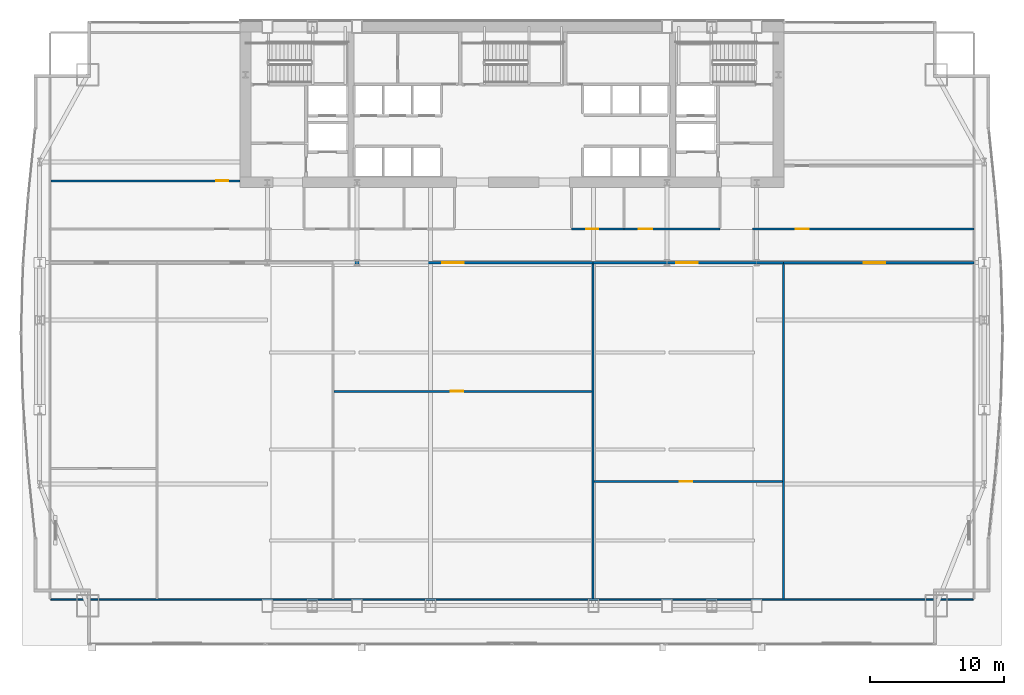
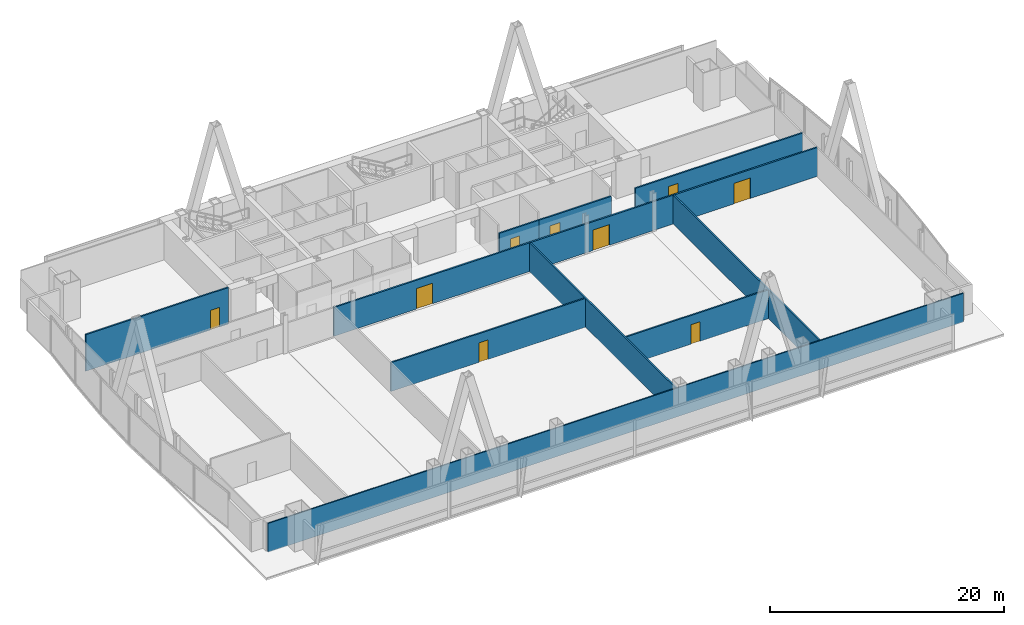
# One storey, part 29 of 35: 12 walls, 9 doors, 9 openings.
"""IFC4 building model written with IfcOpenShell, lengths in metres."""

from ifc_helpers import new_model, si_unit, direction, frame, frame_2d, origin, place, context, subcontext, project, spatial, rectangle, extrude, material, layer, layer_set, type_object, element, fill, save


model = new_model("IFC4")

# Units and contexts
model_context = context("Model", 3, precision=1e-05, world=origin(), true_north=direction((0.0, 1.0)))
body_context = subcontext(model_context, "Body", "Model", "MODEL_VIEW")
ifc_project = project(units=[si_unit("LENGTHUNIT", "METRE"), si_unit("AREAUNIT", "SQUARE_METRE"), si_unit("VOLUMEUNIT", "CUBIC_METRE"), si_unit("PLANEANGLEUNIT", "RADIAN"), si_unit("MASSUNIT", "GRAM", prefix="KILO")], contexts=[model_context])

# Site, building, storey
site_placement = place(None, origin())
site = spatial("IfcSite", under=ifc_project, at=site_placement, CompositionType="ELEMENT")
building_placement = place(site_placement, origin())
building = spatial("IfcBuilding", under=site, at=building_placement, Name="Khoronbel Lancet Exchange", CompositionType="ELEMENT")
storey_placement = place(building_placement, frame((0.0, 0.0, 25.800048828125)))
storey = spatial("IfcBuildingStorey", under=building, at=storey_placement, Name="L05", CompositionType="ELEMENT", Elevation=25.800048828125)

# Wall, opening, door
ifc_material_1 = material(Name="Acoustic Metal-Stud & Mineral-Wool Gypsum Partition 120 mm", Category="gypsum")
ifc_layer_1 = layer(ifc_material_1, 0.1201171875, Name="Acoustic Metal-Stud & Mineral-Wool Gypsum Partition 120 mm")
ifc_layer_set_1 = layer_set([ifc_layer_1], Name="Acoustic Metal-Stud & Mineral-Wool Gypsum Partition 120 mm")
wall_type_1 = type_object("IfcWallType", Name="WL-PRT120", PredefinedType="PARTITIONING", material=ifc_layer_set_1)
wall_1_placement = place(storey_placement, frame((2.094970703125, 41.800048828125, 0.0), z_axis=(0.0, 0.0, 1.0), x_axis=(1.0, 0.0, 0.0)))
wall_1 = element("IfcWall", 1, at=wall_1_placement, inside=storey, type_object=wall_type_1, Name="Level L05 interior partition PW-NW-H", PredefinedType="PARTITIONING", context=body_context, shape_type="SweptSolid", body=[
    extrude(rectangle(XDim=14.10498046875, YDim=0.14990234375, at=frame_2d((7.052490234375, 0.0))), origin(), (0.0, 0.0, 1.0), 3.820068359375),
])
opening_1_placement = place(wall_1_placement, frame((12.320068359375, 0.0, 0.0)))
opening_1 = element("IfcOpeningElement", 2, at=opening_1_placement, cuts=wall_1, Name="Opening D5", PredefinedType="OPENING", context=body_context, shape_type="SweptSolid", body=[
    extrude(rectangle(XDim=0.89990234375, YDim=2.050048828125, at=frame_2d((0.449951171875, 1.02490234375))), frame((0.0, 0.0849609375, 0.0), z_axis=(0.0, -1.0, 0.0), x_axis=(1.0, 0.0, 0.0)), (0.0, 0.0, 1.0), 0.169921875),
])
ifc_material_2 = material(Name="Acoustic Timber Pantry & Support Door", Category="wood")
door_type_1 = type_object("IfcDoorType", Name="DR-D5", OperationType="NOTDEFINED", PredefinedType="DOOR", material=ifc_material_2)
door_1_placement = place(opening_1_placement, origin())
door_1 = element("IfcDoor", 3, at=door_1_placement, inside=storey, type_object=door_type_1, Name="NW north room door L05-1", OperationType="SINGLE_SWING_RIGHT", OverallHeight=2.050048828125, OverallWidth=0.89990234375, PredefinedType="DOOR", context=body_context, shape_type="SweptSolid", body=[
    extrude(rectangle(XDim=0.89990234375, YDim=2.050048828125, at=frame_2d((0.449951171875, 1.02490234375))), frame((0.0, 0.02490234375, 0.0), z_axis=(0.0, -1.0, 0.0), x_axis=(1.0, 0.0, 0.0)), (0.0, 0.0, 1.0), 0.050048828125),
])
fill(opening_1, door_1)

wall_2_placement = place(storey_placement, frame((23.182861328125, 26.119140625, 0.0), z_axis=(0.0, 0.0, 1.0), x_axis=(1.0, 0.0, 0.0)))
wall_2 = element("IfcWall", 4, at=wall_2_placement, inside=storey, type_object=wall_type_1, Name="Level L05 interior partition PW-Z1S-H3", PredefinedType="PARTITIONING", context=body_context, shape_type="SweptSolid", body=[
    extrude(rectangle(XDim=19.223876953125, YDim=0.14990234375, at=frame_2d((9.61181640625, 0.0))), origin(), (0.0, 0.0, 1.0), 3.010009765625),
])
opening_2_placement = place(wall_2_placement, frame((8.72265625, 0.0, 0.0)))
opening_2 = element("IfcOpeningElement", 5, at=opening_2_placement, cuts=wall_2, Name="Opening D5", PredefinedType="OPENING", context=body_context, shape_type="SweptSolid", body=[
    extrude(rectangle(XDim=0.89990234375, YDim=2.050048828125, at=frame_2d((0.449951171875, 1.02490234375))), frame((0.0, 0.0849609375, 0.0), z_axis=(0.0, -1.0, 0.0), x_axis=(1.0, 0.0, 0.0)), (0.0, 0.0, 1.0), 0.169921875),
])
door_2_placement = place(opening_2_placement, origin())
door_2 = element("IfcDoor", 6, at=door_2_placement, inside=storey, type_object=door_type_1, Name="Z1S inner door 3 L05-1", OperationType="SINGLE_SWING_LEFT", OverallHeight=2.050048828125, OverallWidth=0.89990234375, PredefinedType="DOOR", context=body_context, shape_type="SweptSolid", body=[
    extrude(rectangle(XDim=0.89990234375, YDim=2.050048828125, at=frame_2d((0.449951171875, 1.02490234375))), frame((0.0, 0.02490234375, 0.0), z_axis=(0.0, -1.0, 0.0), x_axis=(1.0, 0.0, 0.0)), (0.0, 0.0, 1.0), 0.050048828125),
])
fill(opening_2, door_2)

wall_3_placement = place(storey_placement, frame((42.566650390625, 19.39453125, 0.0), z_axis=(0.0, 0.0, 1.0), x_axis=(1.0, 0.0, 0.0)))
wall_3 = element("IfcWall", 7, at=wall_3_placement, inside=storey, type_object=wall_type_1, Name="Level L05 interior partition PW-Z1S-H4", PredefinedType="PARTITIONING", context=body_context, shape_type="SweptSolid", body=[
    extrude(rectangle(XDim=14.045654296875, YDim=0.14990234375, at=frame_2d((7.02294921875, 0.0))), origin(), (0.0, 0.0, 1.0), 3.010009765625),
])
opening_3_placement = place(wall_3_placement, frame((6.392578125, 0.0, 0.0)))
opening_3 = element("IfcOpeningElement", 8, at=opening_3_placement, cuts=wall_3, Name="Opening D5", PredefinedType="OPENING", context=body_context, shape_type="SweptSolid", body=[
    extrude(rectangle(XDim=0.89990234375, YDim=2.050048828125, at=frame_2d((0.449951171875, 1.02490234375))), frame((0.0, 0.0849609375, 0.0), z_axis=(0.0, -1.0, 0.0), x_axis=(1.0, 0.0, 0.0)), (0.0, 0.0, 1.0), 0.169921875),
])
door_3_placement = place(opening_3_placement, origin())
door_3 = element("IfcDoor", 9, at=door_3_placement, inside=storey, type_object=door_type_1, Name="Z1S inner door 4 L05-1", OperationType="SINGLE_SWING_RIGHT", OverallHeight=2.050048828125, OverallWidth=0.89990234375, PredefinedType="DOOR", context=body_context, shape_type="SweptSolid", body=[
    extrude(rectangle(XDim=0.89990234375, YDim=2.050048828125, at=frame_2d((0.449951171875, 1.02490234375))), frame((0.0, 0.02490234375, 0.0), z_axis=(0.0, -1.0, 0.0), x_axis=(1.0, 0.0, 0.0)), (0.0, 0.0, 1.0), 0.050048828125),
])
fill(opening_3, door_3)

# Wall
wall_4_placement = place(storey_placement, frame((2.094970703125, 10.60009765625, 0.0), z_axis=(0.0, 0.0, 1.0), x_axis=(1.0, 0.0, 0.0)))
element("IfcWall", 10, at=wall_4_placement, inside=storey, type_object=wall_type_1, Name="Level L05 interior partition PW-LIN-S", PredefinedType="PARTITIONING", context=body_context, shape_type="SweptSolid", body=[
    extrude(rectangle(XDim=68.7099609375, YDim=0.1201171875, at=frame_2d((34.35498046875, 0.0))), origin(), (0.0, 0.0, 1.0), 3.010009765625),
])

# Wall, opening, door
ifc_material_3 = material(Name="Fire-Rated Twin-Stud Acoustic Gypsum Partition 150 mm", Category="gypsum")
ifc_layer_2 = layer(ifc_material_3, 0.14990234375, Name="Fire-Rated Twin-Stud Acoustic Gypsum Partition 150 mm")
ifc_layer_set_2 = layer_set([ifc_layer_2], Name="Fire-Rated Twin-Stud Acoustic Gypsum Partition 150 mm")
wall_type_2 = type_object("IfcWallType", Name="WL-PRT150C", PredefinedType="PARTITIONING", material=ifc_layer_set_2)
wall_5_placement = place(storey_placement, frame((40.8798828125, 38.199951171875, 0.0), z_axis=(0.0, 0.0, 1.0), x_axis=(1.0, 0.0, 0.0)))
wall_5 = element("IfcWall", 11, at=wall_5_placement, inside=storey, type_object=wall_type_2, Name="Level L05 interior partition PW-NP-S1", PredefinedType="PARTITIONING", context=body_context, shape_type="SweptSolid", body=[
    extrude(rectangle(XDim=3.920166015625, YDim=0.14990234375, at=frame_2d((1.9599609375, 0.0))), origin(), (0.0, 0.0, 1.0), 3.010009765625),
])
opening_4_placement = place(wall_5_placement, frame((1.10009765625, 0.0, 0.0)))
opening_4 = element("IfcOpeningElement", 12, at=opening_4_placement, cuts=wall_5, Name="Opening D5", PredefinedType="OPENING", context=body_context, shape_type="SweptSolid", body=[
    extrude(rectangle(XDim=0.89990234375, YDim=2.050048828125, at=frame_2d((0.449951171875, 1.02490234375))), frame((0.0, 0.0849609375, 0.0), z_axis=(0.0, -1.0, 0.0), x_axis=(1.0, 0.0, 0.0)), (0.0, 0.0, 1.0), 0.169921875),
])
door_4_placement = place(opening_4_placement, origin())
door_4 = element("IfcDoor", 13, at=door_4_placement, inside=storey, type_object=door_type_1, Name="Floor refreshment pantry door L05-1", OperationType="SINGLE_SWING_RIGHT", OverallHeight=2.050048828125, OverallWidth=0.89990234375, PredefinedType="DOOR", context=body_context, shape_type="SweptSolid", body=[
    extrude(rectangle(XDim=0.89990234375, YDim=2.050048828125, at=frame_2d((0.449951171875, 1.02490234375))), frame((0.0, 0.02490234375, 0.0), z_axis=(0.0, -1.0, 0.0), x_axis=(1.0, 0.0, 0.0)), (0.0, 0.0, 1.0), 0.050048828125),
])
fill(opening_4, door_4)

wall_6_placement = place(storey_placement, frame((44.800048828125, 38.199951171875, 0.0), z_axis=(0.0, 0.0, 1.0), x_axis=(1.0, 0.0, 0.0)))
wall_6 = element("IfcWall", 14, at=wall_6_placement, inside=storey, type_object=wall_type_2, Name="Level L05 interior partition PW-NP-S2", PredefinedType="PARTITIONING", context=body_context, shape_type="SweptSolid", body=[
    extrude(rectangle(XDim=7.14990234375, YDim=0.14990234375, at=frame_2d((3.574951171875, 0.0))), origin(), (0.0, 0.0, 1.0), 3.010009765625),
])
opening_5_placement = place(wall_6_placement, frame((1.10009765625, 0.0, 0.0)))
opening_5 = element("IfcOpeningElement", 15, at=opening_5_placement, cuts=wall_6, Name="Opening D2", PredefinedType="OPENING", context=body_context, shape_type="SweptSolid", body=[
    extrude(rectangle(XDim=1.0, YDim=2.050048828125, at=frame_2d((0.5, 1.02490234375))), frame((0.0, 0.0849609375, 0.0), z_axis=(0.0, -1.0, 0.0), x_axis=(1.0, 0.0, 0.0)), (0.0, 0.0, 1.0), 0.169921875),
])
ifc_material_4 = material(Name="Acoustic Veneered Timber & Bronze Frame Door", Category="wood")
door_type_2 = type_object("IfcDoorType", Name="DR-D2", OperationType="NOTDEFINED", PredefinedType="DOOR", material=ifc_material_4)
door_5_placement = place(opening_5_placement, origin())
door_5 = element("IfcDoor", 16, at=door_5_placement, inside=storey, type_object=door_type_2, Name="Floor store door L05-1", OperationType="SINGLE_SWING_LEFT", OverallHeight=2.050048828125, OverallWidth=1.0, PredefinedType="DOOR", context=body_context, shape_type="SweptSolid", body=[
    extrude(rectangle(XDim=1.0, YDim=2.050048828125, at=frame_2d((0.5, 1.02490234375))), frame((0.0, 0.02490234375, 0.0), z_axis=(0.0, -1.0, 0.0), x_axis=(1.0, 0.0, 0.0)), (0.0, 0.0, 1.0), 0.050048828125),
])
fill(opening_5, door_5)

wall_7_placement = place(storey_placement, frame((54.35009765625, 38.199951171875, 0.0), z_axis=(0.0, 0.0, 1.0), x_axis=(1.0, 0.0, 0.0)))
wall_7 = element("IfcWall", 17, at=wall_7_placement, inside=storey, type_object=wall_type_2, Name="Level L05 interior partition PW-NE-S", PredefinedType="PARTITIONING", context=body_context, shape_type="SweptSolid", body=[
    extrude(rectangle(XDim=16.52001953125, YDim=0.14990234375, at=frame_2d((8.260009765625, 0.0))), origin(), (0.0, 0.0, 1.0), 3.010009765625),
])
opening_6_placement = place(wall_7_placement, frame((3.25, 0.0, 0.0)))
opening_6 = element("IfcOpeningElement", 18, at=opening_6_placement, cuts=wall_7, Name="Opening D1", PredefinedType="OPENING", context=body_context, shape_type="SweptSolid", body=[
    extrude(rectangle(XDim=0.949951171875, YDim=2.050048828125, at=frame_2d((0.47509765625, 1.02490234375))), frame((0.0, 0.0849609375, 0.0), z_axis=(0.0, -1.0, 0.0), x_axis=(1.0, 0.0, 0.0)), (0.0, 0.0, 1.0), 0.169921875),
])
door_type_3 = type_object("IfcDoorType", Name="DR-D1", OperationType="NOTDEFINED", PredefinedType="DOOR", material=ifc_material_4)
door_6_placement = place(opening_6_placement, origin())
door_6 = element("IfcDoor", 19, at=door_6_placement, inside=storey, type_object=door_type_3, Name="NE corner room door L05-1", OperationType="SINGLE_SWING_LEFT", OverallHeight=2.050048828125, OverallWidth=0.949951171875, PredefinedType="DOOR", context=body_context, shape_type="SweptSolid", body=[
    extrude(rectangle(XDim=0.949951171875, YDim=2.050048828125, at=frame_2d((0.47509765625, 1.02490234375))), frame((0.0, 0.02490234375, 0.0), z_axis=(0.0, -1.0, 0.0), x_axis=(1.0, 0.0, 0.0)), (0.0, 0.0, 1.0), 0.050048828125),
])
fill(opening_6, door_6)

# Walls
for number, where, z_axis, x_axis, name in (
    (20, (42.48681640625, 10.6650390625, 0.0), (0.0, 0.0, 1.0), (0.0, 1.0, 0.0), "Level L05 interior partition PW-Z1S-V3"),
    (21, (56.692138671875, 10.6650390625, 0.0), (0.0, 0.0, 1.0), (0.0, 1.0, 0.0), "Level L05 interior partition PW-Z1S-V4"),
):
    element("IfcWall", number, at=place(storey_placement, frame(where, z_axis=z_axis, x_axis=x_axis)), inside=storey, type_object=wall_type_2, Name=name, PredefinedType="PARTITIONING", context=body_context, shape_type="SweptSolid", body=[
        extrude(rectangle(XDim=24.949951171875, YDim=0.14990234375, at=frame_2d((12.47509765625, 0.0))), origin(), (0.0, 0.0, 1.0), 3.010009765625),
    ])

# Wall, opening, door
ifc_material_5 = material(Name="Fire-Rated Twin-Stud Acoustic Gypsum Partition 160 mm", Category="gypsum")
ifc_layer_3 = layer(ifc_material_5, 0.159912109375, Name="Fire-Rated Twin-Stud Acoustic Gypsum Partition 160 mm")
ifc_layer_set_3 = layer_set([ifc_layer_3], Name="Fire-Rated Twin-Stud Acoustic Gypsum Partition 160 mm")
wall_type_3 = type_object("IfcWallType", Name="WL-PRT160C", PredefinedType="PARTITIONING", material=ifc_layer_set_3)
wall_8_placement = place(storey_placement, frame((23.102783203125, 35.699951171875, 0.0), z_axis=(0.0, 0.0, 1.0), x_axis=(1.0, 0.0, 0.0)))
wall_8 = element("IfcWall", 22, at=wall_8_placement, inside=storey, type_object=wall_type_3, Name="Level L05 interior partition PW-Z1S-COR3", PredefinedType="PARTITIONING", context=body_context, shape_type="SweptSolid", body=[
    extrude(rectangle(XDim=19.384033203125, YDim=0.159912109375, at=frame_2d((9.69189453125, 0.0))), origin(), (0.0, 0.0, 1.0), 3.010009765625),
])
opening_7_placement = place(wall_8_placement, frame((8.14111328125, 0.0, 0.0)))
opening_7 = element("IfcOpeningElement", 23, at=opening_7_placement, cuts=wall_8, Name="Opening D3", PredefinedType="OPENING", context=body_context, shape_type="SweptSolid", body=[
    extrude(rectangle(XDim=1.60009765625, YDim=2.14990234375, at=frame_2d((0.800048828125, 1.074951171875))), frame((0.0, 0.08984375, 0.0), z_axis=(0.0, -1.0, 0.0), x_axis=(1.0, 0.0, 0.0)), (0.0, 0.0, 1.0), 0.179931640625),
])
ifc_material_6 = material(Name="Glazed Bronze-Framed Double Suite Door", Category="aluminium")
door_type_4 = type_object("IfcDoorType", Name="DR-D3", OperationType="NOTDEFINED", PredefinedType="DOOR", material=ifc_material_6)
door_7_placement = place(opening_7_placement, origin())
door_7 = element("IfcDoor", 24, at=door_7_placement, inside=storey, type_object=door_type_4, Name="Z1S bay 3 door L05-1", OperationType="DOUBLE_DOOR_SINGLE_SWING", OverallHeight=2.14990234375, OverallWidth=1.60009765625, PredefinedType="DOOR", context=body_context, shape_type="SweptSolid", body=[
    extrude(rectangle(XDim=1.60009765625, YDim=2.14990234375, at=frame_2d((0.800048828125, 1.074951171875))), frame((0.0, 0.02490234375, 0.0), z_axis=(0.0, -1.0, 0.0), x_axis=(1.0, 0.0, 0.0)), (0.0, 0.0, 1.0), 0.050048828125),
])
fill(opening_7, door_7)

wall_9_placement = place(storey_placement, frame((42.48681640625, 35.699951171875, 0.0), z_axis=(0.0, 0.0, 1.0), x_axis=(1.0, 0.0, 0.0)))
wall_9 = element("IfcWall", 25, at=wall_9_placement, inside=storey, type_object=wall_type_3, Name="Level L05 interior partition PW-Z1S-COR4", PredefinedType="PARTITIONING", context=body_context, shape_type="SweptSolid", body=[
    extrude(rectangle(XDim=14.205322265625, YDim=0.159912109375, at=frame_2d((7.1025390625, 0.0))), origin(), (0.0, 0.0, 1.0), 3.010009765625),
])
opening_8_placement = place(wall_9_placement, frame((6.21630859375, 0.0, 0.0)))
opening_8 = element("IfcOpeningElement", 26, at=opening_8_placement, cuts=wall_9, Name="Opening D3", PredefinedType="OPENING", context=body_context, shape_type="SweptSolid", body=[
    extrude(rectangle(XDim=1.60009765625, YDim=2.14990234375, at=frame_2d((0.800048828125, 1.074951171875))), frame((0.0, 0.08984375, 0.0), z_axis=(0.0, -1.0, 0.0), x_axis=(1.0, 0.0, 0.0)), (0.0, 0.0, 1.0), 0.179931640625),
])
door_8_placement = place(opening_8_placement, origin())
door_8 = element("IfcDoor", 27, at=door_8_placement, inside=storey, type_object=door_type_4, Name="Z1S bay 4 door L05-1", OperationType="DOUBLE_DOOR_SINGLE_SWING", OverallHeight=2.14990234375, OverallWidth=1.60009765625, PredefinedType="DOOR", context=body_context, shape_type="SweptSolid", body=[
    extrude(rectangle(XDim=1.60009765625, YDim=2.14990234375, at=frame_2d((0.800048828125, 1.074951171875))), frame((0.0, 0.02490234375, 0.0), z_axis=(0.0, -1.0, 0.0), x_axis=(1.0, 0.0, 0.0)), (0.0, 0.0, 1.0), 0.050048828125),
])
fill(opening_8, door_8)

wall_10_placement = place(storey_placement, frame((56.692138671875, 35.699951171875, 0.0), z_axis=(0.0, 0.0, 1.0), x_axis=(1.0, 0.0, 0.0)))
wall_10 = element("IfcWall", 28, at=wall_10_placement, inside=storey, type_object=wall_type_3, Name="Level L05 interior partition PW-Z1S-COR5", PredefinedType="PARTITIONING", context=body_context, shape_type="SweptSolid", body=[
    extrude(rectangle(XDim=14.177978515625, YDim=0.159912109375, at=frame_2d((7.0888671875, 0.0))), origin(), (0.0, 0.0, 1.0), 3.010009765625),
])
opening_9_placement = place(wall_10_placement, frame((5.95458984375, 0.0, 0.0)))
opening_9 = element("IfcOpeningElement", 29, at=opening_9_placement, cuts=wall_10, Name="Opening D3", PredefinedType="OPENING", context=body_context, shape_type="SweptSolid", body=[
    extrude(rectangle(XDim=1.60009765625, YDim=2.14990234375, at=frame_2d((0.800048828125, 1.074951171875))), frame((0.0, 0.08984375, 0.0), z_axis=(0.0, -1.0, 0.0), x_axis=(1.0, 0.0, 0.0)), (0.0, 0.0, 1.0), 0.179931640625),
])
door_9_placement = place(opening_9_placement, origin())
door_9 = element("IfcDoor", 30, at=door_9_placement, inside=storey, type_object=door_type_4, Name="Z1S bay 5 door L05-1", OperationType="DOUBLE_DOOR_SINGLE_SWING", OverallHeight=2.14990234375, OverallWidth=1.60009765625, PredefinedType="DOOR", context=body_context, shape_type="SweptSolid", body=[
    extrude(rectangle(XDim=1.60009765625, YDim=2.14990234375, at=frame_2d((0.800048828125, 1.074951171875))), frame((0.0, 0.02490234375, 0.0), z_axis=(0.0, -1.0, 0.0), x_axis=(1.0, 0.0, 0.0)), (0.0, 0.0, 1.0), 0.050048828125),
])
fill(opening_9, door_9)

save(model, "model.ifc")
